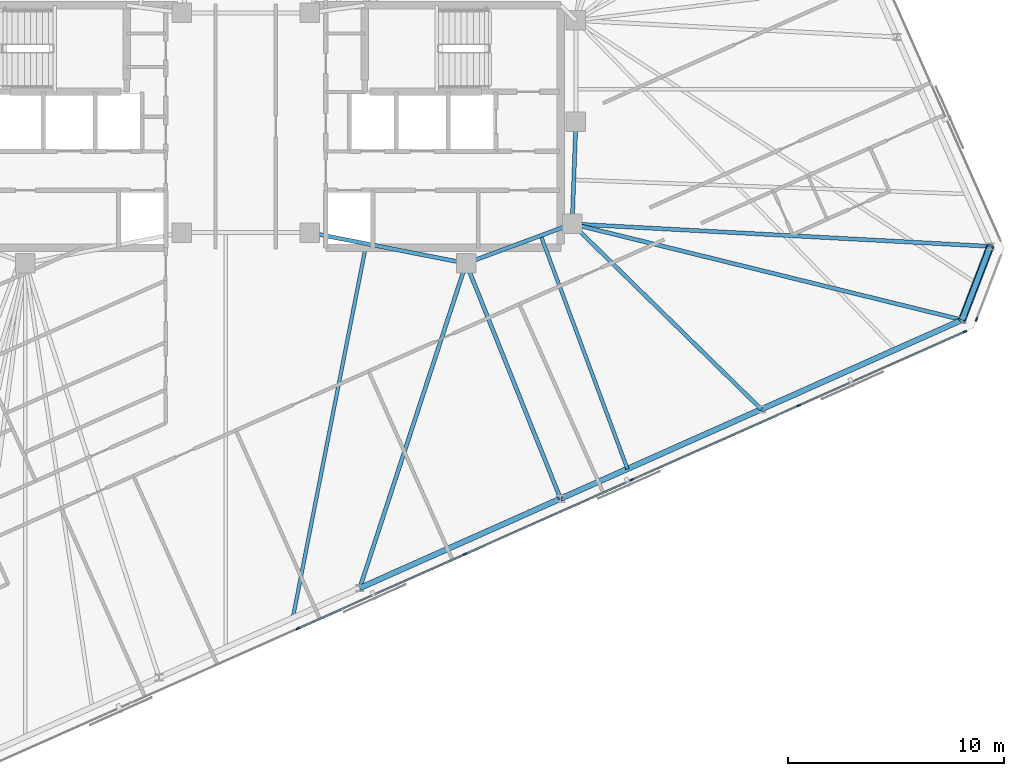
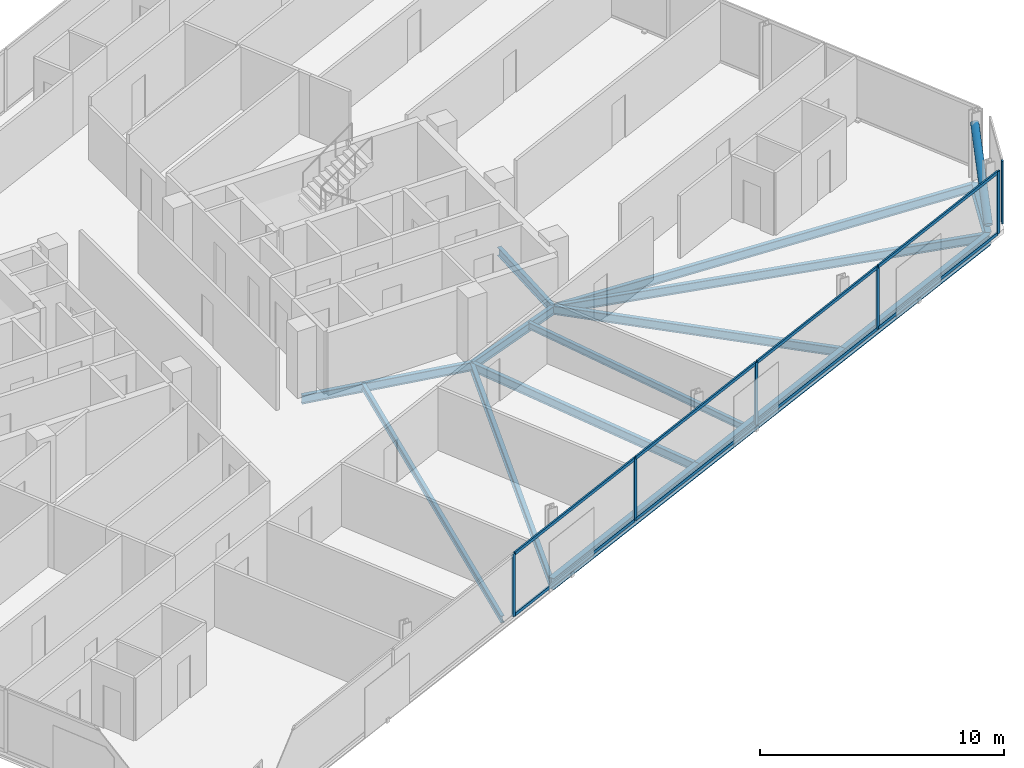
# One storey, part 7 of 19: 15 members, 14 beams, 2 elements without a shape of their own.
"""IFC4 building model written with IfcOpenShell, lengths in metres."""

from ifc_helpers import new_model, si_unit, direction, frame, origin, origin_2d, place, context, subcontext, project, spatial, rectangle, hollow_circle, i_section, extrude, material, material_profile, profile_set, type_object, element, aggregate, save


model = new_model("IFC4")

# Units and contexts
model_context = context("Model", 3, precision=1e-05, world=origin(), true_north=direction((0.0, 1.0)))
body_context = subcontext(model_context, "Body", "Model", "MODEL_VIEW")
ifc_project = project(units=[si_unit("LENGTHUNIT", "METRE"), si_unit("AREAUNIT", "SQUARE_METRE"), si_unit("VOLUMEUNIT", "CUBIC_METRE"), si_unit("PLANEANGLEUNIT", "RADIAN"), si_unit("MASSUNIT", "GRAM", prefix="KILO")], contexts=[model_context])

# Site, building, storey
site_placement = place(None, origin())
site = spatial("IfcSite", under=ifc_project, at=site_placement, CompositionType="ELEMENT")
building_placement = place(site_placement, origin())
building = spatial("IfcBuilding", under=site, at=building_placement, Name="Menara Jurai Vektor", CompositionType="ELEMENT")
storey_placement = place(building_placement, frame((0.0, 0.0, 288.60009765625)))
storey = spatial("IfcBuildingStorey", under=building, at=storey_placement, Name="L77", CompositionType="ELEMENT", Elevation=288.60009765625)

# Curtain wall, members
ifc_material_1 = material(Name="Anodised Pale Aluminium & Low-E Double Glazing", Category="aluminium")
curtain_wall_type = type_object("IfcCurtainWallType", Name="CW-BLK5", PredefinedType="NOTDEFINED", material=ifc_material_1)
curtain_wall_1_placement = place(storey_placement, origin())
curtain_wall_1 = element("IfcCurtainWall", 1, at=curtain_wall_1_placement, inside=storey, type_object=curtain_wall_type, Name="Unitised Curtain Wall L77 F01", PredefinedType="NOTDEFINED")
ifc_material_2 = material(Name="Anodised Pale Aluminium Mullion", Category="aluminium")
ifc_material_profile_1 = material_profile(ifc_material_2, rectangle(XDim=0.074951171875, YDim=0.175048828125, at=origin_2d()), Name="ALU MUL 75x175")
ifc_profile_set_1 = profile_set([ifc_material_profile_1], Name="Anodised Pale Aluminium Mullion")
member_type_1 = type_object("IfcMemberType", Name="CW-BLK5-MUL", PredefinedType="MULLION", material=ifc_profile_set_1)
member_1_placement = place(storey_placement, frame((2.417724609375, -23.190185546875, 0.0), z_axis=(0.0, 0.0, 1.0), x_axis=(-0.406735498684, 0.913545967158, 0.0)))
member_1 = element("IfcMember", 2, at=member_1_placement, type_object=member_type_1, Name="CW-05 mullion 3", PredefinedType="MULLION", context=body_context, shape_type="SweptSolid", body=[
    extrude(rectangle(XDim=0.074951171875, YDim=0.175048828125, at=origin_2d()), origin(), (0.0, 0.0, 1.0), 3.125),
])
member_2_placement = place(storey_placement, frame((10.1279296875, -19.75732421875, 0.0), z_axis=(0.0, 0.0, 1.0), x_axis=(-0.406735498684, 0.913545967158, 0.0)))
member_2 = element("IfcMember", 3, at=member_2_placement, type_object=member_type_1, Name="CW-05 mullion 4", PredefinedType="MULLION", context=body_context, shape_type="SweptSolid", body=[
    extrude(rectangle(XDim=0.074951171875, YDim=0.175048828125, at=origin_2d()), origin(), (0.0, 0.0, 1.0), 3.125),
])
member_3_placement = place(storey_placement, frame((17.83837890625, -16.324462890625, 0.0), z_axis=(0.0, 0.0, 1.0), x_axis=(-0.406735498684, 0.913545967158, 0.0)))
member_3 = element("IfcMember", 4, at=member_3_placement, type_object=member_type_1, Name="CW-05 mullion 5", PredefinedType="MULLION", context=body_context, shape_type="SweptSolid", body=[
    extrude(rectangle(XDim=0.074951171875, YDim=0.175048828125, at=origin_2d()), origin(), (0.0, 0.0, 1.0), 3.125),
])
member_4_placement = place(storey_placement, frame((25.548583984375, -12.8916015625, 0.0), z_axis=(0.0, 0.0, 1.0), x_axis=(-0.406735498684, 0.913545967158, 0.0)))
member_4 = element("IfcMember", 5, at=member_4_placement, type_object=member_type_1, Name="CW-05 mullion 6", PredefinedType="MULLION", context=body_context, shape_type="SweptSolid", body=[
    extrude(rectangle(XDim=0.074951171875, YDim=0.175048828125, at=origin_2d()), origin(), (0.0, 0.0, 1.0), 3.125),
])
member_5_placement = place(storey_placement, frame((33.224853515625, -9.47412109375, 0.0), z_axis=(0.0, 0.0, 1.0), x_axis=(-0.406735498684, 0.913545967158, 0.0)))
member_5 = element("IfcMember", 6, at=member_5_placement, type_object=member_type_1, Name="CW-05 mullion 7", PredefinedType="MULLION", context=body_context, shape_type="SweptSolid", body=[
    extrude(rectangle(XDim=0.074951171875, YDim=0.175048828125, at=origin_2d()), origin(), (0.0, 0.0, 1.0), 3.125),
])

# Curtain wall, member
curtain_wall_2_placement = place(storey_placement, origin())
curtain_wall_2 = element("IfcCurtainWall", 7, at=curtain_wall_2_placement, inside=storey, type_object=curtain_wall_type, Name="Unitised Curtain Wall L77 F02", PredefinedType="NOTDEFINED")
member_6_placement = place(storey_placement, frame((33.755859375, -8.914306640625, 0.0), z_axis=(0.0, 0.0, 1.0), x_axis=(-0.933578193639, 0.358373766287, 0.0)))
member_6 = element("IfcMember", 8, at=member_6_placement, type_object=member_type_1, Name="CW-05 mullion 1", PredefinedType="MULLION", context=body_context, shape_type="SweptSolid", body=[
    extrude(rectangle(XDim=0.074951171875, YDim=0.175048828125, at=origin_2d()), origin(), (0.0, 0.0, 1.0), 3.125),
])
aggregate(curtain_wall_2, [member_6])

# Member
ifc_material_3 = material(Name="Anodised Pale Aluminium Transom", Category="aluminium")
ifc_material_profile_2 = material_profile(ifc_material_3, rectangle(XDim=0.074951171875, YDim=0.155029296875, at=origin_2d()), Name="ALU TRN 75x155")
ifc_profile_set_2 = profile_set([ifc_material_profile_2], Name="Anodised Pale Aluminium Transom")
member_type_2 = type_object("IfcMemberType", Name="CW-BLK5-TRN", PredefinedType="USERDEFINED", material=ifc_profile_set_2)
member_7_placement = place(storey_placement, frame((2.451904296875, -23.175048828125, 0.037353515625), z_axis=(0.913546575494, 0.406734132331, 0.0), x_axis=(-0.406734132331, 0.913546575494, 0.0)))
member_7 = element("IfcMember", 9, at=member_7_placement, type_object=member_type_2, Name="CW-05 transom 3.1", ObjectType="TRANSOM", PredefinedType="USERDEFINED", context=body_context, shape_type="SweptSolid", body=[
    extrude(rectangle(XDim=0.074951171875, YDim=0.155029296875, at=origin_2d()), origin(), (0.0, 0.0, 1.0), 8.364990234375),
])

member_8_placement = place(storey_placement, frame((2.451904296875, -23.175048828125, 3.08740234375), z_axis=(0.913546575494, 0.406734132331, 0.0), x_axis=(-0.406734132331, 0.913546575494, 0.0)))
member_8 = element("IfcMember", 10, at=member_8_placement, type_object=member_type_2, Name="CW-05 transom 3.2", ObjectType="TRANSOM", PredefinedType="USERDEFINED", context=body_context, shape_type="SweptSolid", body=[
    extrude(rectangle(XDim=0.074951171875, YDim=0.155029296875, at=origin_2d()), origin(), (0.0, 0.0, 1.0), 8.364990234375),
])

member_9_placement = place(storey_placement, frame((10.162353515625, -19.7421875, 0.037353515625), z_axis=(0.913541747007, 0.406744977198, 0.0), x_axis=(-0.406744977198, 0.913541747007, 0.0)))
member_9 = element("IfcMember", 11, at=member_9_placement, type_object=member_type_2, Name="CW-05 transom 4.1", ObjectType="TRANSOM", PredefinedType="USERDEFINED", context=body_context, shape_type="SweptSolid", body=[
    extrude(rectangle(XDim=0.074951171875, YDim=0.155029296875, at=origin_2d()), origin(), (0.0, 0.0, 1.0), 8.36474609375),
])

member_10_placement = place(storey_placement, frame((10.162353515625, -19.7421875, 3.08740234375), z_axis=(0.913541747007, 0.406744977198, 0.0), x_axis=(-0.406744977198, 0.913541747007, 0.0)))
member_10 = element("IfcMember", 12, at=member_10_placement, type_object=member_type_2, Name="CW-05 transom 4.2", ObjectType="TRANSOM", PredefinedType="USERDEFINED", context=body_context, shape_type="SweptSolid", body=[
    extrude(rectangle(XDim=0.074951171875, YDim=0.155029296875, at=origin_2d()), origin(), (0.0, 0.0, 1.0), 8.36474609375),
])

member_11_placement = place(storey_placement, frame((17.87255859375, -16.309326171875, 0.037353515625), z_axis=(0.913546575494, 0.406734132331, 0.0), x_axis=(-0.406734132331, 0.913546575494, 0.0)))
member_11 = element("IfcMember", 13, at=member_11_placement, type_object=member_type_2, Name="CW-05 transom 5.1", ObjectType="TRANSOM", PredefinedType="USERDEFINED", context=body_context, shape_type="SweptSolid", body=[
    extrude(rectangle(XDim=0.074951171875, YDim=0.155029296875, at=origin_2d()), origin(), (0.0, 0.0, 1.0), 8.364990234375),
])

member_12_placement = place(storey_placement, frame((17.87255859375, -16.309326171875, 3.08740234375), z_axis=(0.913546575494, 0.406734132331, 0.0), x_axis=(-0.406734132331, 0.913546575494, 0.0)))
member_12 = element("IfcMember", 14, at=member_12_placement, type_object=member_type_2, Name="CW-05 transom 5.2", ObjectType="TRANSOM", PredefinedType="USERDEFINED", context=body_context, shape_type="SweptSolid", body=[
    extrude(rectangle(XDim=0.074951171875, YDim=0.155029296875, at=origin_2d()), origin(), (0.0, 0.0, 1.0), 8.364990234375),
])

member_13_placement = place(storey_placement, frame((25.5830078125, -12.87646484375, 0.037353515625), z_axis=(0.91353811338, 0.406753138159, 0.0), x_axis=(-0.406753138159, 0.91353811338, 0.0)))
member_13 = element("IfcMember", 15, at=member_13_placement, type_object=member_type_2, Name="CW-05 transom 6.1", ObjectType="TRANSOM", PredefinedType="USERDEFINED", context=body_context, shape_type="SweptSolid", body=[
    extrude(rectangle(XDim=0.074951171875, YDim=0.155029296875, at=origin_2d()), origin(), (0.0, 0.0, 1.0), 8.327392578125),
])

member_14_placement = place(storey_placement, frame((25.5830078125, -12.87646484375, 3.08740234375), z_axis=(0.91353811338, 0.406753138159, 0.0), x_axis=(-0.406753138159, 0.91353811338, 0.0)))
member_14 = element("IfcMember", 16, at=member_14_placement, type_object=member_type_2, Name="CW-05 transom 6.2", ObjectType="TRANSOM", PredefinedType="USERDEFINED", context=body_context, shape_type="SweptSolid", body=[
    extrude(rectangle(XDim=0.074951171875, YDim=0.155029296875, at=origin_2d()), origin(), (0.0, 0.0, 1.0), 8.327392578125),
])

aggregate(curtain_wall_1, [member_1, member_2, member_3, member_4, member_5, member_7, member_8, member_9, member_10, member_11, member_12, member_13, member_14])

# Beams
ifc_material_4 = material(Name="Steel S355", Category="steel")
ifc_material_profile_3 = material_profile(ifc_material_4, i_section(OverallWidth=0.18505859375, OverallDepth=0.429931640625, WebThickness=0.010986328125, FlangeThickness=0.01806640625, at=origin_2d()), Name="PG 430x185x76")
ifc_profile_set_3 = profile_set([ifc_material_profile_3], Name="Steel S355")
beam_type_1 = type_object("IfcBeamType", Name="STR-BM-430", PredefinedType="BEAM", material=ifc_profile_set_3)
beam_1_placement = place(storey_placement, frame((15.080078125, -4.5, -0.440185546875), z_axis=(0.035977314146, 0.999352606874, 0.0), x_axis=(-0.999352606874, 0.035977314146, 0.0)))
element("IfcBeam", 17, at=beam_1_placement, inside=storey, type_object=beam_type_1, Name="Core Ring Header Girder L77-CHE-E2", PredefinedType="BEAM", context=body_context, shape_type="SweptSolid", body=[
    extrude(i_section(OverallWidth=0.18505859375, OverallDepth=0.429931640625, WebThickness=0.010986328125, FlangeThickness=0.01806640625, at=origin_2d()), origin(), (0.0, 0.0, 1.0), 4.72314453125),
])
beam_2_placement = place(storey_placement, frame((10.179931640625, -6.320068359375, -0.440185546875), z_axis=(0.937424400887, 0.348188874925, 0.0), x_axis=(-0.348188874925, 0.937424400887, 0.0)))
element("IfcBeam", 18, at=beam_2_placement, inside=storey, type_object=beam_type_1, Name="Core Ring Header Girder L77-CHE-S1", PredefinedType="BEAM", context=body_context, shape_type="SweptSolid", body=[
    extrude(i_section(OverallWidth=0.18505859375, OverallDepth=0.429931640625, WebThickness=0.010986328125, FlangeThickness=0.01806640625, at=origin_2d()), origin(), (0.0, 0.0, 1.0), 5.227294921875),
])
beam_3_placement = place(storey_placement, frame((2.949951171875, -4.89990234375, -0.440185546875), z_axis=(0.981249044334, -0.192744164614, 0.0), x_axis=(0.192744164614, 0.981249044334, 0.0)))
element("IfcBeam", 19, at=beam_3_placement, inside=storey, type_object=beam_type_1, Name="Core Ring Header Girder L77-CHE-S2", PredefinedType="BEAM", context=body_context, shape_type="SweptSolid", body=[
    extrude(i_section(OverallWidth=0.18505859375, OverallDepth=0.429931640625, WebThickness=0.010986328125, FlangeThickness=0.01806640625, at=origin_2d()), origin(), (0.0, 0.0, 1.0), 7.3681640625),
])
beam_4_placement = place(storey_placement, frame((5.267578125, -21.3193359375, -0.440185546875), z_axis=(0.311239486704, 0.950331511587, 0.0), x_axis=(-0.950331511587, 0.311239486704, 0.0)))
element("IfcBeam", 20, at=beam_4_placement, inside=storey, type_object=beam_type_1, Name="Radial Floor Girder L77-S3", PredefinedType="BEAM", context=body_context, shape_type="SweptSolid", body=[
    extrude(i_section(OverallWidth=0.18505859375, OverallDepth=0.429931640625, WebThickness=0.010986328125, FlangeThickness=0.01806640625, at=origin_2d()), origin(), (0.0, 0.0, 1.0), 15.783203125),
])
beam_5_placement = place(storey_placement, frame((14.541015625, -17.1904296875, -0.440185546875), z_axis=(-0.372342852726, 0.928095253745, 0.0), x_axis=(-0.928095253745, -0.372342852726, 0.0)))
element("IfcBeam", 21, at=beam_5_placement, inside=storey, type_object=beam_type_1, Name="Radial Floor Girder L77-S4", PredefinedType="BEAM", context=body_context, shape_type="SweptSolid", body=[
    extrude(i_section(OverallWidth=0.18505859375, OverallDepth=0.429931640625, WebThickness=0.010986328125, FlangeThickness=0.01806640625, at=origin_2d()), origin(), (0.0, 0.0, 1.0), 11.712646484375),
])
beam_6_placement = place(storey_placement, frame((23.814697265625, -13.061767578125, -0.440185546875), z_axis=(-0.714137598149, 0.70000535063, 0.0), x_axis=(-0.70000535063, -0.714137598149, 0.0)))
element("IfcBeam", 22, at=beam_6_placement, inside=storey, type_object=beam_type_1, Name="Radial Floor Girder L77-S5", PredefinedType="BEAM", context=body_context, shape_type="SweptSolid", body=[
    extrude(i_section(OverallWidth=0.18505859375, OverallDepth=0.429931640625, WebThickness=0.010986328125, FlangeThickness=0.01806640625, at=origin_2d()), origin(), (0.0, 0.0, 1.0), 12.23095703125),
])
beam_7_placement = place(storey_placement, frame((33.088134765625, -8.932861328125, -0.440185546875), z_axis=(-0.971013515776, 0.239024584888, 0.0), x_axis=(-0.239024584888, -0.971013515776, 0.0)))
element("IfcBeam", 23, at=beam_7_placement, inside=storey, type_object=beam_type_1, Name="Radial Floor Girder L77-S6", PredefinedType="BEAM", context=body_context, shape_type="SweptSolid", body=[
    extrude(i_section(OverallWidth=0.18505859375, OverallDepth=0.429931640625, WebThickness=0.010986328125, FlangeThickness=0.01806640625, at=origin_2d()), origin(), (0.0, 0.0, 1.0), 18.545654296875),
])
beam_8_placement = place(storey_placement, frame((34.3916015625, -5.536865234375, -0.440185546875), z_axis=(-0.998561718759, 0.053614306189, 0.0), x_axis=(-0.053614306189, -0.998561718759, 0.0)))
element("IfcBeam", 24, at=beam_8_placement, inside=storey, type_object=beam_type_1, Name="Radial Floor Girder L77-E1", PredefinedType="BEAM", context=body_context, shape_type="SweptSolid", body=[
    extrude(i_section(OverallWidth=0.18505859375, OverallDepth=0.429931640625, WebThickness=0.010986328125, FlangeThickness=0.01806640625, at=origin_2d()), origin(), (0.0, 0.0, 1.0), 19.33935546875),
])

# Member
ifc_material_5 = material(Name="Steel S460", Category="steel")
ifc_material_profile_4 = material_profile(ifc_material_5, hollow_circle(Radius=0.177734375, WallThickness=0.01611328125, at=origin_2d()), Name="CHS 355.6x16")
ifc_profile_set_4 = profile_set([ifc_material_profile_4], Name="Steel S460")
member_type_3 = type_object("IfcMemberType", Name="STR-BR-356", PredefinedType="BRACE", material=ifc_profile_set_4)
member_15_placement = place(storey_placement, frame((33.088134765625, -8.932861328125, 0.14990234375), z_axis=(0.290575939475, 0.757054002265, 0.585179340931), x_axis=(-0.933592747566, 0.358335850414, 0.0)))
element("IfcMember", 25, at=member_15_placement, inside=storey, type_object=member_type_3, Name="Exoskeleton Corner Brace L77-1", PredefinedType="BRACE", context=body_context, shape_type="SweptSolid", body=[
    extrude(hollow_circle(Radius=0.177734375, WallThickness=0.01611328125, at=origin_2d()), origin(), (0.0, 0.0, 1.0), 4.48583984375),
])

# Beams
ifc_material_profile_5 = material_profile(ifc_material_4, i_section(OverallWidth=0.1650390625, OverallDepth=0.330078125, WebThickness=0.009033203125, FlangeThickness=0.013916015625, at=origin_2d()), Name="PG 330x165x46")
ifc_profile_set_5 = profile_set([ifc_material_profile_5], Name="Steel S355")
beam_type_2 = type_object("IfcBeamType", Name="STR-JS-330", PredefinedType="JOIST", material=ifc_profile_set_5)
beam_9_placement = place(storey_placement, frame((2.176513671875, -22.695556640625, -0.39013671875), z_axis=(0.192710503651, 0.981255655669, 0.0), x_axis=(-0.981255655669, 0.192710503651, 0.0)))
element("IfcBeam", 26, at=beam_9_placement, inside=storey, type_object=beam_type_2, Name="Radial Secondary Floor Joist L77-JS04", PredefinedType="JOIST", context=body_context, shape_type="SweptSolid", body=[
    extrude(i_section(OverallWidth=0.1650390625, OverallDepth=0.330078125, WebThickness=0.009033203125, FlangeThickness=0.013916015625, at=origin_2d()), origin(), (0.0, 0.0, 1.0), 17.61083984375),
])
beam_10_placement = place(storey_placement, frame((17.632080078125, -15.814208984375, -0.39013671875), z_axis=(-0.348172664726, 0.937430421705, 0.0), x_axis=(-0.937430421705, -0.348172664726, 0.0)))
element("IfcBeam", 27, at=beam_10_placement, inside=storey, type_object=beam_type_2, Name="Radial Secondary Floor Joist L77-JS05", PredefinedType="JOIST", context=body_context, shape_type="SweptSolid", body=[
    extrude(i_section(OverallWidth=0.1650390625, OverallDepth=0.330078125, WebThickness=0.009033203125, FlangeThickness=0.013916015625, at=origin_2d()), origin(), (0.0, 0.0, 1.0), 11.494873046875),
])
ifc_material_profile_6 = material_profile(ifc_material_4, i_section(OverallWidth=0.260009765625, OverallDepth=0.570068359375, WebThickness=0.013916015625, FlangeThickness=0.02392578125, at=origin_2d()), Name="PG 570x260x145")
ifc_profile_set_6 = profile_set([ifc_material_profile_6], Name="Steel S355")
beam_type_3 = type_object("IfcBeamType", Name="STR-SP-570", PredefinedType="SPANDREL", material=ifc_profile_set_6)
for number, where, z_axis, x_axis, name in (
    (28, (5.267578125, -21.3193359375, -0.510009765625), (0.913541582548, 0.406745346568, 0.0), (-0.406745346568, 0.913541582548, 0.0), "Exoskeleton Spandrel Beam L77-03"),
    (29, (14.541015625, -17.1904296875, -0.510009765625), (0.913554497648, 0.406716338284, 0.0), (-0.406716338284, 0.913554497648, 0.0), "Exoskeleton Spandrel Beam L77-04"),
    (30, (23.814697265625, -13.061767578125, -0.510009765625), (0.913541582548, 0.406745346568, 0.0), (-0.406745346568, 0.913541582548, 0.0), "Exoskeleton Spandrel Beam L77-05"),
):
    element("IfcBeam", number, at=place(storey_placement, frame(where, z_axis=z_axis, x_axis=x_axis)), inside=storey, type_object=beam_type_3, Name=name, PredefinedType="SPANDREL", context=body_context, shape_type="SweptSolid", body=[
        extrude(i_section(OverallWidth=0.260009765625, OverallDepth=0.570068359375, WebThickness=0.013916015625, FlangeThickness=0.02392578125, at=origin_2d()), origin(), (0.0, 0.0, 1.0), 10.151123046875),
    ])
beam_11_placement = place(storey_placement, frame((33.088134765625, -8.932861328125, -0.510009765625), z_axis=(0.358335850414, 0.933592747566, 0.0), x_axis=(-0.933592747566, 0.358335850414, 0.0)))
element("IfcBeam", 31, at=beam_11_placement, inside=storey, type_object=beam_type_3, Name="Exoskeleton Spandrel Beam L77-06", PredefinedType="SPANDREL", context=body_context, shape_type="SweptSolid", body=[
    extrude(i_section(OverallWidth=0.260009765625, OverallDepth=0.570068359375, WebThickness=0.013916015625, FlangeThickness=0.02392578125, at=origin_2d()), origin(), (0.0, 0.0, 1.0), 3.637451171875),
])

save(model, "model.ifc")
